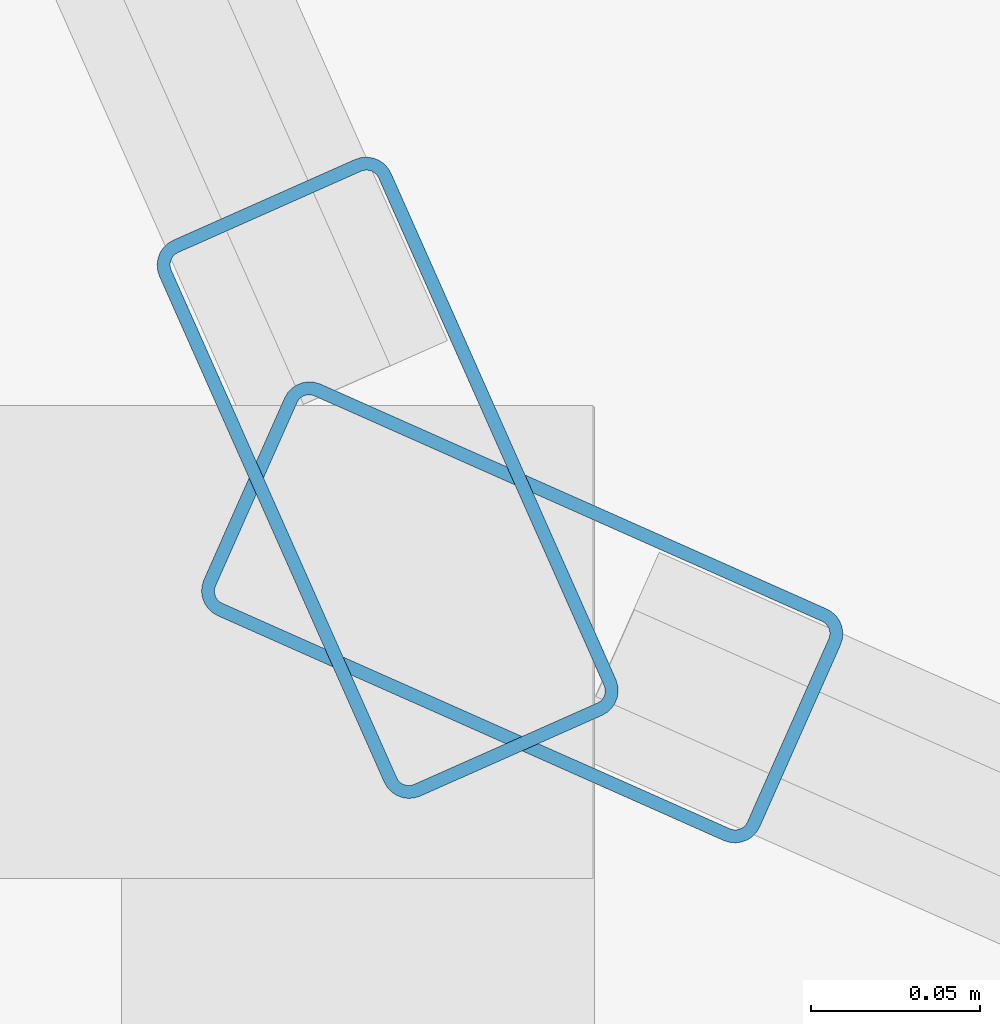
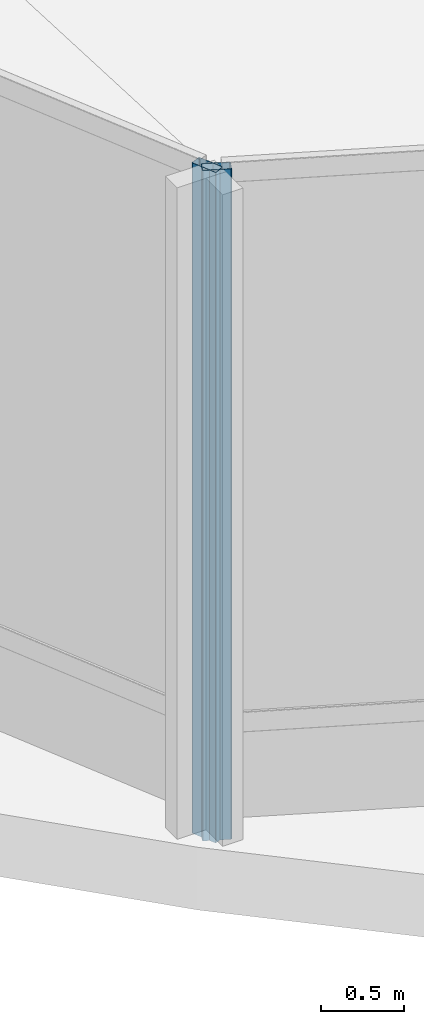
# One storey, part 2 of 37: 2 members, 2 elements without a shape of their own.
"""IFC4 building model written with IfcOpenShell, lengths in metres."""

from ifc_helpers import new_model, si_unit, direction, frame, origin, origin_2d, place, context, subcontext, project, spatial, hollow_rectangle, extrude, material, layer, layer_set, material_profile, profile_set, type_object, element, aggregate, save


model = new_model("IFC4")

# Units and contexts
model_context = context("Model", 3, precision=1e-05, world=origin(), true_north=direction((0.0, 1.0)))
body_context = subcontext(model_context, "Body", "Model", "MODEL_VIEW")
ifc_project = project(units=[si_unit("LENGTHUNIT", "METRE"), si_unit("AREAUNIT", "SQUARE_METRE"), si_unit("VOLUMEUNIT", "CUBIC_METRE"), si_unit("PLANEANGLEUNIT", "RADIAN"), si_unit("MASSUNIT", "GRAM", prefix="KILO")], contexts=[model_context])

# Site, building, storey
site_placement = place(None, origin())
site = spatial("IfcSite", under=ifc_project, at=site_placement, CompositionType="ELEMENT")
building_placement = place(site_placement, origin())
building = spatial("IfcBuilding", under=site, at=building_placement, Name="Solvaryn Broadcast Tower", CompositionType="ELEMENT")
storey_placement = place(building_placement, frame((0.0, 0.0, 30.800048828125)))
storey = spatial("IfcBuildingStorey", under=building, at=storey_placement, Name="L06", CompositionType="ELEMENT", Elevation=30.800048828125)

# Curtain wall, member
ifc_material_1 = material(Name="Aluminium and Terracotta Unitised Curtain Wall", Category="masonry")
ifc_layer = layer(ifc_material_1, 0.199951171875)
ifc_layer_set = layer_set([ifc_layer], Name="CW-SYS2-LOWMID")
curtain_wall_type = type_object("IfcCurtainWallType", Name="CW-SYS2-LOWMID", PredefinedType="NOTDEFINED", material=ifc_layer_set)
curtain_wall_1_placement = place(storey_placement, origin())
curtain_wall_1 = element("IfcCurtainWall", 1, at=curtain_wall_1_placement, inside=storey, type_object=curtain_wall_type, Name="L06 Curtain Wall DR2", PredefinedType="NOTDEFINED")
ifc_material_2 = material(Name="Anodised Aluminium 6063-T6", Category="aluminium")
ifc_material_profile = material_profile(ifc_material_2, hollow_rectangle(XDim=0.074951171875, YDim=0.179931640625, WallThickness=0.00390625, InnerFilletRadius=0.00390625, OuterFilletRadius=0.008056640625, at=origin_2d()))
ifc_profile_set = profile_set([ifc_material_profile], Name="Anodised Aluminium 6063-T6")
member_type = type_object("IfcMemberType", Name="CW-MUL-180", PredefinedType="MULLION", material=ifc_profile_set)
member_1_placement = place(storey_placement, frame((7.834716796875, 7.87451171875, 0.0), z_axis=(0.0, 0.0, 1.0), x_axis=(0.913918257271, 0.405898286554, 0.0)))
member_1 = element("IfcMember", 2, at=member_1_placement, type_object=member_type, Name="CWS2 mullion 3", PredefinedType="MULLION", context=body_context, shape_type="SweptSolid", body=[
    extrude(hollow_rectangle(XDim=0.074951171875, YDim=0.179931640625, WallThickness=0.00390625, InnerFilletRadius=0.00390625, OuterFilletRadius=0.008056640625, at=origin_2d()), origin(), (0.0, 0.0, 1.0), 4.919921875),
])
aggregate(curtain_wall_1, [member_1])

curtain_wall_2_placement = place(storey_placement, origin())
curtain_wall_2 = element("IfcCurtainWall", 3, at=curtain_wall_2_placement, inside=storey, type_object=curtain_wall_type, Name="L06 Curtain Wall DR3", PredefinedType="NOTDEFINED")
member_2_placement = place(storey_placement, frame((7.87451171875, 7.834716796875, 0.0), z_axis=(0.0, 0.0, 1.0), x_axis=(0.405898286554, 0.913918257271, 0.0)))
member_2 = element("IfcMember", 4, at=member_2_placement, type_object=member_type, Name="CWS2 mullion 1", PredefinedType="MULLION", context=body_context, shape_type="SweptSolid", body=[
    extrude(hollow_rectangle(XDim=0.074951171875, YDim=0.179931640625, WallThickness=0.00390625, InnerFilletRadius=0.00390625, OuterFilletRadius=0.008056640625, at=origin_2d()), origin(), (0.0, 0.0, 1.0), 4.919921875),
])
aggregate(curtain_wall_2, [member_2])

save(model, "model.ifc")
